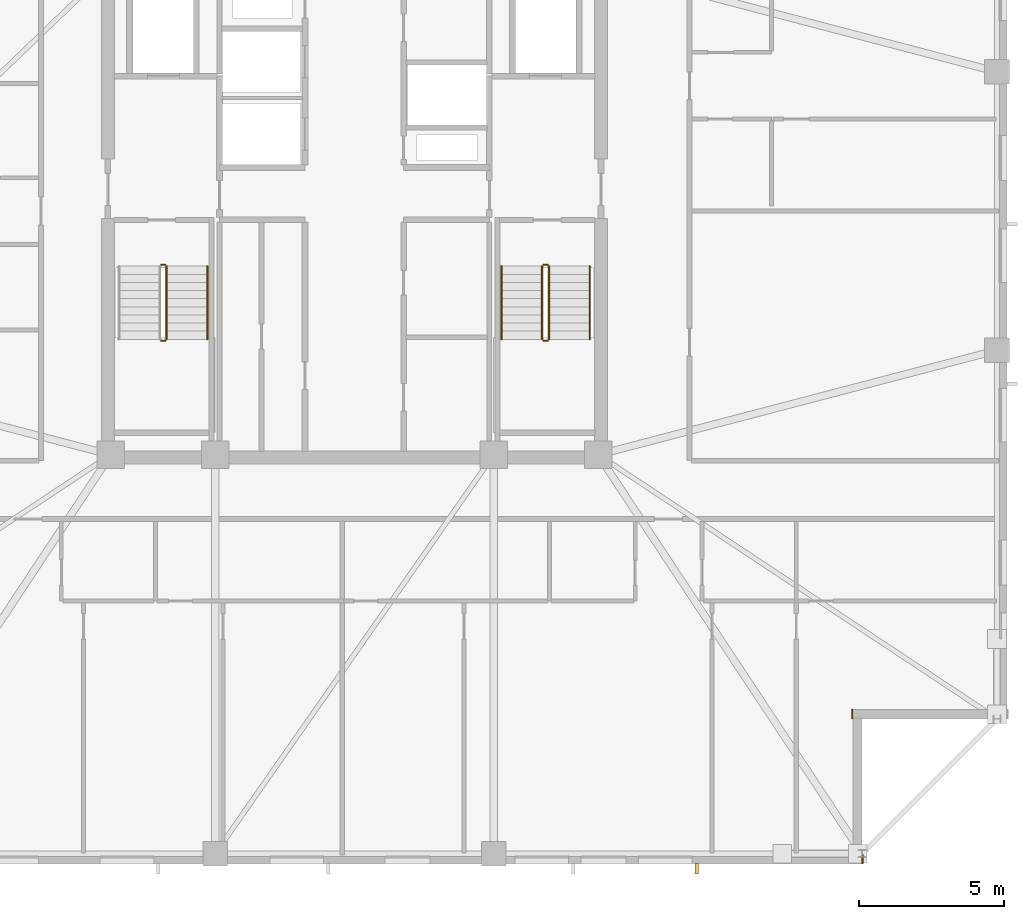
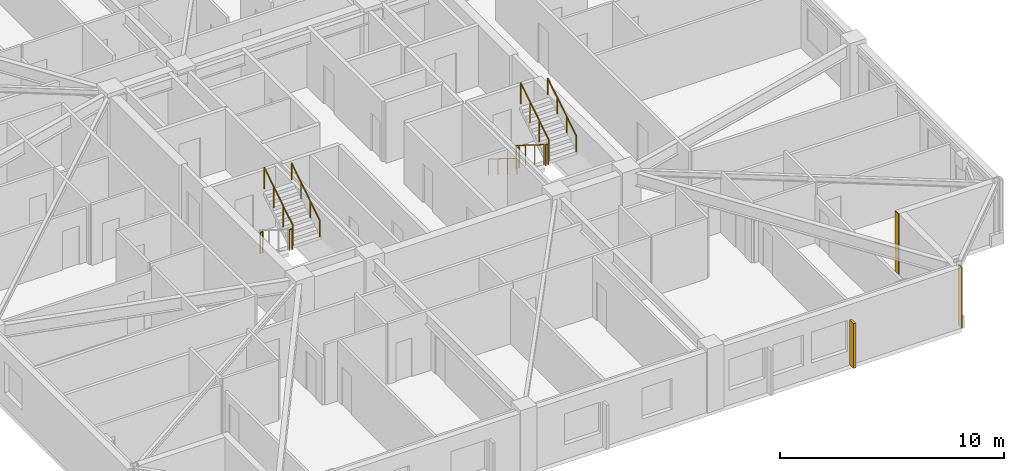
# One storey, part 14 of 17: 10 railings, 2 coverings, 1 shading device.
"""IFC4 building model written with IfcOpenShell, lengths in metres."""

from ifc_helpers import new_model, si_unit, direction, frame, frame_2d, origin, origin_2d, place, context, subcontext, project, spatial, rectangle, circle, extrude, material, layer, layer_set, type_object, element, save


model = new_model("IFC4")

# Units and contexts
model_context = context("Model", 3, precision=1e-05, world=origin(), true_north=direction((0.0, 1.0)))
body_context = subcontext(model_context, "Body", "Model", "MODEL_VIEW")
ifc_project = project(units=[si_unit("LENGTHUNIT", "METRE"), si_unit("AREAUNIT", "SQUARE_METRE"), si_unit("VOLUMEUNIT", "CUBIC_METRE"), si_unit("PLANEANGLEUNIT", "RADIAN"), si_unit("MASSUNIT", "GRAM", prefix="KILO")], contexts=[model_context])

# Site, building, storey
site_placement = place(None, origin())
site = spatial("IfcSite", under=ifc_project, at=site_placement, CompositionType="ELEMENT")
building_placement = place(site_placement, origin())
building = spatial("IfcBuilding", under=site, at=building_placement, Name="Cairnveth Concourse Tower", CompositionType="ELEMENT")
storey_placement = place(building_placement, frame((0.0, 0.0, 230.5)))
storey = spatial("IfcBuildingStorey", under=building, at=storey_placement, Name="L63", CompositionType="ELEMENT", Elevation=230.5)

# Coverings
ifc_material_1 = material(Name="Dressed Melbourne Bluestone Cladding", Category="masonry")
ifc_layer = layer(ifc_material_1, 0.050048828125)
ifc_layer_set = layer_set([ifc_layer], Name="Dressed Melbourne Bluestone Cladding")
covering_type = type_object("IfcCoveringType", Name="DRESSED BLUESTONE PLINTH CLADDING 50", PredefinedType="CLADDING", material=ifc_layer_set)
for number, where, z_axis, x_axis, name in (
    (1, (69.159912109375, 21.820068359375, 0.0), (0.0, 0.0, 1.0), (0.0, -1.0, 0.0), "Melbourne Bluestone Corner Quoin L63-951"),
    (2, (69.52001953125, 16.820068359375, 0.0), (0.0, 0.0, 1.0), (0.0, -1.0, 0.0), "Melbourne Bluestone Corner Quoin L63-952"),
):
    element("IfcCovering", number, at=place(storey_placement, frame(where, z_axis=z_axis, x_axis=x_axis)), inside=storey, type_object=covering_type, Name=name, PredefinedType="CLADDING", context=body_context, shape_type="SweptSolid", body=[
        extrude(rectangle(XDim=0.320068359375, YDim=0.050048828125, at=frame_2d((0.16015625, 0.0))), origin(), (0.0, 0.0, 1.0), 3.2900390625),
    ])

# Shading device
ifc_material_2 = material(Name="Architectural Bronze Anodised Aluminium 6063-T6", Category="aluminium")
shading_device_type = type_object("IfcShadingDeviceType", Name="GOTHIC BRONZE VERTICAL LANCET FIN", PredefinedType="USERDEFINED", material=ifc_material_2)
shading_device_placement = place(storey_placement, frame((63.79736328125, 16.324951171875, 0.030029296875), z_axis=(0.0, 0.0, 1.0), x_axis=(1.0, 0.0, 0.0)))
element("IfcShadingDevice", 3, at=shading_device_placement, inside=storey, type_object=shading_device_type, Name="Gothic Bronze Vertical Fin L63-9-1", ObjectType="VERTICAL FIN", PredefinedType="USERDEFINED", context=body_context, shape_type="SweptSolid", body=[
    extrude(rectangle(XDim=0.1201171875, YDim=0.360107421875, at=origin_2d()), origin(), (0.0, 0.0, 1.0), 2.43798828125),
])

# Railings
ifc_material_3 = material(Name="Steel Grade 350", Category="steel")
railing_type_1 = type_object("IfcRailingType", Name="STAIR GUARDRAIL 1150", PredefinedType="GUARDRAIL", material=ifc_material_3)
railing_1_placement = place(storey_placement, frame((45.340087890625, 34.530029296875, 1.75)))
element("IfcRailing", 4, at=railing_1_placement, inside=storey, type_object=railing_type_1, Name="L63 ST-1 stair guard 2", PredefinedType="GUARDRAIL", context=body_context, shape_type="SweptSolid", body=[
    extrude(circle(Radius=0.02392578125, at=origin_2d()), frame((0.0, 0.0, 1.1259765625), z_axis=(1.0, 0.0, 0.0), x_axis=(0.0, 1.0, 0.0)), (0.0, 0.0, 1.0), 0.139892578125),
    extrude(circle(Radius=0.02099609375, at=origin_2d()), origin(), (0.0, 0.0, 1.0), 1.101806640625),
    extrude(circle(Radius=0.02099609375, at=origin_2d()), frame((0.139892578125, 0.0, 0.0)), (0.0, 0.0, 1.0), 1.101806640625),
])
railing_2_placement = place(storey_placement, frame((45.530029296875, 34.580078125, 1.925048828125)))
element("IfcRailing", 5, at=railing_2_placement, inside=storey, type_object=railing_type_1, Name="L63 ST-1 stair guard 3", PredefinedType="GUARDRAIL", context=body_context, shape_type="SweptSolid", body=[
    extrude(circle(Radius=0.02392578125, at=origin_2d()), frame((0.0, 0.0, 1.1259765625), z_axis=(0.0, 0.848007534815, 0.529984170421), x_axis=(-1.0, 0.0, 0.0)), (0.0, 0.0, 1.0), 2.9716796875),
    extrude(circle(Radius=0.02099609375, at=origin_2d()), origin(), (0.0, 0.0, 1.0), 1.101806640625),
    extrude(circle(Radius=0.02099609375, at=origin_2d()), frame((0.0, 0.840087890625, 0.52490234375)), (0.0, 0.0, 1.0), 1.101806640625),
    extrude(circle(Radius=0.02099609375, at=origin_2d()), frame((0.0, 1.679931640625, 1.050048828125)), (0.0, 0.0, 1.0), 1.101806640625),
    extrude(circle(Radius=0.02099609375, at=origin_2d()), frame((0.0, 2.52001953125, 1.574951171875)), (0.0, 0.0, 1.0), 1.101806640625),
])
railing_3_placement = place(storey_placement, frame((45.340087890625, 37.14990234375, 0.0)))
element("IfcRailing", 6, at=railing_3_placement, inside=storey, type_object=railing_type_1, Name="L63 ST-1 stair guard 4", PredefinedType="GUARDRAIL", context=body_context, shape_type="SweptSolid", body=[
    extrude(circle(Radius=0.02392578125, at=origin_2d()), frame((0.0, 0.0, 1.1259765625), z_axis=(1.0, 0.0, 0.0), x_axis=(0.0, 1.0, 0.0)), (0.0, 0.0, 1.0), 0.139892578125),
    extrude(circle(Radius=0.02099609375, at=origin_2d()), origin(), (0.0, 0.0, 1.0), 1.101806640625),
    extrude(circle(Radius=0.02099609375, at=origin_2d()), frame((0.139892578125, 0.0, 0.0)), (0.0, 0.0, 1.0), 1.101806640625),
])
railing_4_placement = place(storey_placement, frame((58.469970703125, 37.10009765625, 0.175048828125)))
element("IfcRailing", 7, at=railing_4_placement, inside=storey, type_object=railing_type_1, Name="L63 ST-2 stair guard 1", PredefinedType="GUARDRAIL", context=body_context, shape_type="SweptSolid", body=[
    extrude(circle(Radius=0.02392578125, at=origin_2d()), frame((0.0, 0.0, 1.1259765625), z_axis=(0.0, -0.848007534815, 0.529984170421), x_axis=(1.0, 0.0, 0.0)), (0.0, 0.0, 1.0), 2.9716796875),
    extrude(circle(Radius=0.02099609375, at=origin_2d()), origin(), (0.0, 0.0, 1.0), 1.101806640625),
    extrude(circle(Radius=0.02099609375, at=origin_2d()), frame((0.0, -0.840087890625, 0.52490234375)), (0.0, 0.0, 1.0), 1.101806640625),
    extrude(circle(Radius=0.02099609375, at=origin_2d()), frame((0.0, -1.679931640625, 1.050048828125)), (0.0, 0.0, 1.0), 1.101806640625),
    extrude(circle(Radius=0.02099609375, at=origin_2d()), frame((0.0, -2.52001953125, 1.574951171875)), (0.0, 0.0, 1.0), 1.101806640625),
])
railing_5_placement = place(storey_placement, frame((58.52001953125, 34.530029296875, 1.75)))
element("IfcRailing", 8, at=railing_5_placement, inside=storey, type_object=railing_type_1, Name="L63 ST-2 stair guard 2", PredefinedType="GUARDRAIL", context=body_context, shape_type="SweptSolid", body=[
    extrude(circle(Radius=0.02392578125, at=origin_2d()), frame((0.0, 0.0, 1.1259765625), z_axis=(1.0, 0.0, 0.0), x_axis=(0.0, 1.0, 0.0)), (0.0, 0.0, 1.0), 0.139892578125),
    extrude(circle(Radius=0.02099609375, at=origin_2d()), origin(), (0.0, 0.0, 1.0), 1.101806640625),
    extrude(circle(Radius=0.02099609375, at=origin_2d()), frame((0.139892578125, 0.0, 0.0)), (0.0, 0.0, 1.0), 1.101806640625),
])
railing_6_placement = place(storey_placement, frame((58.7099609375, 34.580078125, 1.925048828125)))
element("IfcRailing", 9, at=railing_6_placement, inside=storey, type_object=railing_type_1, Name="L63 ST-2 stair guard 3", PredefinedType="GUARDRAIL", context=body_context, shape_type="SweptSolid", body=[
    extrude(circle(Radius=0.02392578125, at=origin_2d()), frame((0.0, 0.0, 1.1259765625), z_axis=(0.0, 0.848007534815, 0.529984170421), x_axis=(-1.0, 0.0, 0.0)), (0.0, 0.0, 1.0), 2.9716796875),
    extrude(circle(Radius=0.02099609375, at=origin_2d()), origin(), (0.0, 0.0, 1.0), 1.101806640625),
    extrude(circle(Radius=0.02099609375, at=origin_2d()), frame((0.0, 0.840087890625, 0.52490234375)), (0.0, 0.0, 1.0), 1.101806640625),
    extrude(circle(Radius=0.02099609375, at=origin_2d()), frame((0.0, 1.679931640625, 1.050048828125)), (0.0, 0.0, 1.0), 1.101806640625),
    extrude(circle(Radius=0.02099609375, at=origin_2d()), frame((0.0, 2.52001953125, 1.574951171875)), (0.0, 0.0, 1.0), 1.101806640625),
])
railing_7_placement = place(storey_placement, frame((58.52001953125, 37.14990234375, 0.0)))
element("IfcRailing", 10, at=railing_7_placement, inside=storey, type_object=railing_type_1, Name="L63 ST-2 stair guard 4", PredefinedType="GUARDRAIL", context=body_context, shape_type="SweptSolid", body=[
    extrude(circle(Radius=0.02392578125, at=origin_2d()), frame((0.0, 0.0, 1.1259765625), z_axis=(1.0, 0.0, 0.0), x_axis=(0.0, 1.0, 0.0)), (0.0, 0.0, 1.0), 0.139892578125),
    extrude(circle(Radius=0.02099609375, at=origin_2d()), origin(), (0.0, 0.0, 1.0), 1.101806640625),
    extrude(circle(Radius=0.02099609375, at=origin_2d()), frame((0.139892578125, 0.0, 0.0)), (0.0, 0.0, 1.0), 1.101806640625),
])
railing_type_2 = type_object("IfcRailingType", Name="STAIR WALL HANDRAIL 900", PredefinedType="HANDRAIL", material=ifc_material_3)
railing_8_placement = place(storey_placement, frame((46.929931640625, 34.580078125, 1.925048828125)))
element("IfcRailing", 11, at=railing_8_placement, inside=storey, type_object=railing_type_2, Name="L63 ST-1 stair handrail 2", PredefinedType="HANDRAIL", context=body_context, shape_type="SweptSolid", body=[
    extrude(circle(Radius=0.02392578125, at=origin_2d()), frame((0.0, 0.0, 0.8759765625), z_axis=(0.0, 0.848007534815, 0.529984170421), x_axis=(-1.0, 0.0, 0.0)), (0.0, 0.0, 1.0), 2.9716796875),
    extrude(circle(Radius=0.02099609375, at=origin_2d()), origin(), (0.0, 0.0, 1.0), 0.851806640625),
    extrude(circle(Radius=0.02099609375, at=origin_2d()), frame((0.0, 0.840087890625, 0.52490234375)), (0.0, 0.0, 1.0), 0.851806640625),
    extrude(circle(Radius=0.02099609375, at=origin_2d()), frame((0.0, 1.679931640625, 1.050048828125)), (0.0, 0.0, 1.0), 0.851806640625),
    extrude(circle(Radius=0.02099609375, at=origin_2d()), frame((0.0, 2.52001953125, 1.574951171875)), (0.0, 0.0, 1.0), 0.851806640625),
])
railing_9_placement = place(storey_placement, frame((57.070068359375, 37.10009765625, 0.175048828125)))
element("IfcRailing", 12, at=railing_9_placement, inside=storey, type_object=railing_type_2, Name="L63 ST-2 stair handrail 1", PredefinedType="HANDRAIL", context=body_context, shape_type="SweptSolid", body=[
    extrude(circle(Radius=0.02392578125, at=origin_2d()), frame((0.0, 0.0, 0.8759765625), z_axis=(0.0, -0.848007534815, 0.529984170421), x_axis=(1.0, 0.0, 0.0)), (0.0, 0.0, 1.0), 2.9716796875),
    extrude(circle(Radius=0.02099609375, at=origin_2d()), origin(), (0.0, 0.0, 1.0), 0.851806640625),
    extrude(circle(Radius=0.02099609375, at=origin_2d()), frame((0.0, -0.840087890625, 0.52490234375)), (0.0, 0.0, 1.0), 0.851806640625),
    extrude(circle(Radius=0.02099609375, at=origin_2d()), frame((0.0, -1.679931640625, 1.050048828125)), (0.0, 0.0, 1.0), 0.851806640625),
    extrude(circle(Radius=0.02099609375, at=origin_2d()), frame((0.0, -2.52001953125, 1.574951171875)), (0.0, 0.0, 1.0), 0.851806640625),
])
railing_10_placement = place(storey_placement, frame((60.110107421875, 34.580078125, 1.925048828125)))
element("IfcRailing", 13, at=railing_10_placement, inside=storey, type_object=railing_type_2, Name="L63 ST-2 stair handrail 2", PredefinedType="HANDRAIL", context=body_context, shape_type="SweptSolid", body=[
    extrude(circle(Radius=0.02392578125, at=origin_2d()), frame((0.0, 0.0, 0.8759765625), z_axis=(0.0, 0.848007534815, 0.529984170421), x_axis=(-1.0, 0.0, 0.0)), (0.0, 0.0, 1.0), 2.9716796875),
    extrude(circle(Radius=0.02099609375, at=origin_2d()), origin(), (0.0, 0.0, 1.0), 0.851806640625),
    extrude(circle(Radius=0.02099609375, at=origin_2d()), frame((0.0, 0.840087890625, 0.52490234375)), (0.0, 0.0, 1.0), 0.851806640625),
    extrude(circle(Radius=0.02099609375, at=origin_2d()), frame((0.0, 1.679931640625, 1.050048828125)), (0.0, 0.0, 1.0), 0.851806640625),
    extrude(circle(Radius=0.02099609375, at=origin_2d()), frame((0.0, 2.52001953125, 1.574951171875)), (0.0, 0.0, 1.0), 0.851806640625),
])

save(model, "model.ifc")
